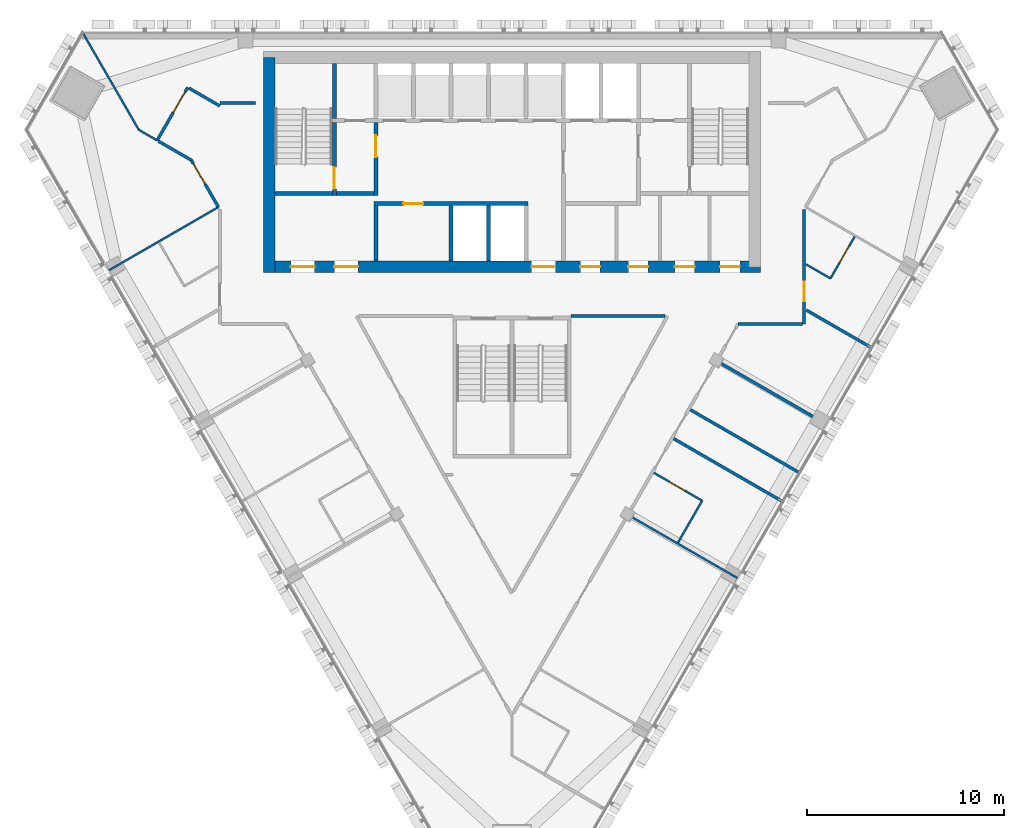
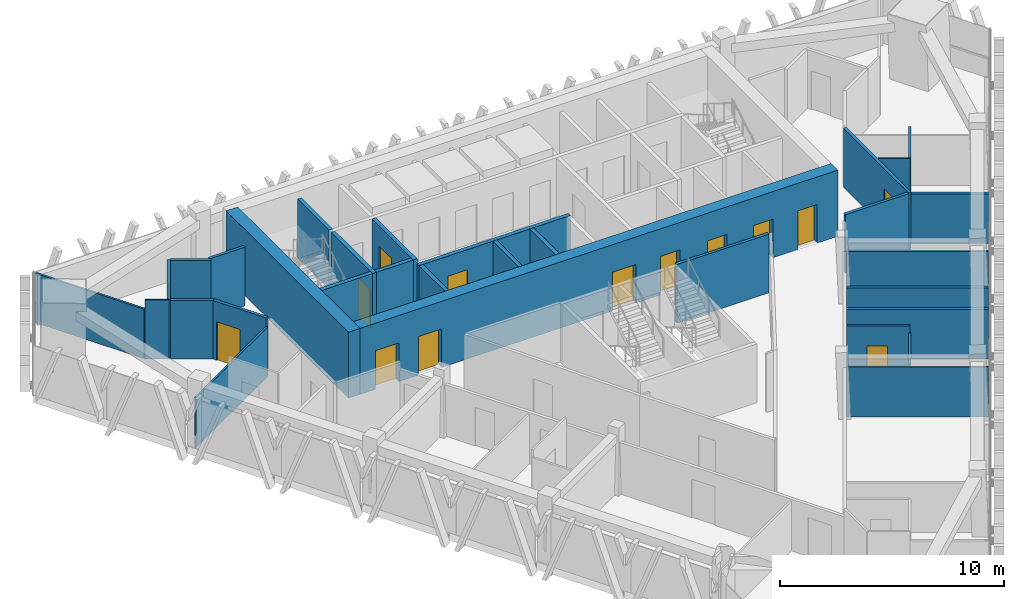
# One storey, part 9 of 14: 31 walls, 15 doors, 15 openings.
"""IFC4 building model written with IfcOpenShell, lengths in metres."""

from ifc_helpers import new_model, si_unit, direction, frame, frame_2d, origin, place, context, subcontext, project, spatial, rectangle, extrude, material, layer, layer_set, type_object, element, fill, save


model = new_model("IFC4")

# Units and contexts
model_context = context("Model", 3, precision=1e-05, world=origin(), true_north=direction((0.0, 1.0)))
body_context = subcontext(model_context, "Body", "Model", "MODEL_VIEW")
ifc_project = project(units=[si_unit("LENGTHUNIT", "METRE"), si_unit("AREAUNIT", "SQUARE_METRE"), si_unit("VOLUMEUNIT", "CUBIC_METRE"), si_unit("PLANEANGLEUNIT", "RADIAN"), si_unit("MASSUNIT", "GRAM", prefix="KILO")], contexts=[model_context])

# Site, building, storey
site_placement = place(None, origin())
site = spatial("IfcSite", under=ifc_project, at=site_placement, CompositionType="ELEMENT")
building_placement = place(site_placement, origin())
building = spatial("IfcBuilding", under=site, at=building_placement, Name="Altiplano Prism Tower", CompositionType="ELEMENT")
storey_placement = place(building_placement, frame((0.0, 0.0, 226.60009765625)))
storey = spatial("IfcBuildingStorey", under=building, at=storey_placement, Name="L58", CompositionType="ELEMENT", Elevation=226.60009765625)

# Wall, openings, doors
ifc_material_1 = material(Name="Concrete C60/75", Category="concrete")
ifc_layer_1 = layer(ifc_material_1, 0.60009765625)
ifc_layer_set_1 = layer_set([ifc_layer_1], Name="Concrete C60/75")
wall_type_1 = type_object("IfcWallType", Name="Core wall 600", PredefinedType="SHEAR", material=ifc_layer_set_1)
wall_1_placement = place(storey_placement, frame((72.699951171875, 93.10009765625, 0.0), z_axis=(0.0, 0.0, 1.0), x_axis=(1.0, 0.0, 0.0)))
wall_1 = element("IfcWall", 1, at=wall_1_placement, inside=storey, type_object=wall_type_1, Name="Core wall S L58", PredefinedType="SHEAR", context=body_context, shape_type="SweptSolid", body=[
    extrude(rectangle(XDim=24.900146484375, YDim=0.60009765625, at=frame_2d((12.4501953125, 0.0))), origin(), (0.0, 0.0, 1.0), 3.599853515625),
])
opening_1_placement = place(wall_1_placement, frame((1.10009765625, 0.0, 0.0)))
opening_1 = element("IfcOpeningElement", 2, at=opening_1_placement, cuts=wall_1, Name="Opening D3389", PredefinedType="OPENING", context=body_context, shape_type="SweptSolid", body=[
    extrude(rectangle(XDim=1.199951171875, YDim=2.10009765625, at=frame_2d((0.60009765625, 1.050048828125))), frame((0.0, 0.310546875, 0.0), z_axis=(0.0, -1.0, 0.0), x_axis=(1.0, 0.0, 0.0)), (0.0, 0.0, 1.0), 0.62109375),
])
opening_2_placement = place(wall_1_placement, frame((3.300048828125, 0.0, 0.0)))
opening_2 = element("IfcOpeningElement", 3, at=opening_2_placement, cuts=wall_1, Name="Opening D3390", PredefinedType="OPENING", context=body_context, shape_type="SweptSolid", body=[
    extrude(rectangle(XDim=1.199951171875, YDim=2.10009765625, at=frame_2d((0.60009765625, 1.050048828125))), frame((0.0, 0.310546875, 0.0), z_axis=(0.0, -1.0, 0.0), x_axis=(1.0, 0.0, 0.0)), (0.0, 0.0, 1.0), 0.62109375),
])
opening_3_placement = place(wall_1_placement, frame((13.300048828125, 0.0, 0.0)))
opening_3 = element("IfcOpeningElement", 4, at=opening_3_placement, cuts=wall_1, Name="Opening D3391", PredefinedType="OPENING", context=body_context, shape_type="SweptSolid", body=[
    extrude(rectangle(XDim=1.199951171875, YDim=2.10009765625, at=frame_2d((0.60009765625, 1.050048828125))), frame((0.0, 0.310546875, 0.0), z_axis=(0.0, -1.0, 0.0), x_axis=(1.0, 0.0, 0.0)), (0.0, 0.0, 1.0), 0.62109375),
])
opening_4_placement = place(wall_1_placement, frame((15.762451171875, 0.0, 0.0)))
opening_4 = element("IfcOpeningElement", 5, at=opening_4_placement, cuts=wall_1, Name="Opening D3394", PredefinedType="OPENING", context=body_context, shape_type="SweptSolid", body=[
    extrude(rectangle(XDim=1.0, YDim=2.10009765625, at=frame_2d((0.5, 1.050048828125))), frame((0.0, 0.310546875, 0.0), z_axis=(0.0, -1.0, 0.0), x_axis=(1.0, 0.0, 0.0)), (0.0, 0.0, 1.0), 0.62109375),
])
opening_5_placement = place(wall_1_placement, frame((18.199951171875, 0.0, 0.0)))
opening_5 = element("IfcOpeningElement", 6, at=opening_5_placement, cuts=wall_1, Name="Opening D3395", PredefinedType="OPENING", context=body_context, shape_type="SweptSolid", body=[
    extrude(rectangle(XDim=1.0, YDim=2.10009765625, at=frame_2d((0.5, 1.050048828125))), frame((0.0, 0.310546875, 0.0), z_axis=(0.0, -1.0, 0.0), x_axis=(1.0, 0.0, 0.0)), (0.0, 0.0, 1.0), 0.62109375),
])
opening_6_placement = place(wall_1_placement, frame((20.550048828125, 0.0, 0.0)))
opening_6 = element("IfcOpeningElement", 7, at=opening_6_placement, cuts=wall_1, Name="Opening D3396", PredefinedType="OPENING", context=body_context, shape_type="SweptSolid", body=[
    extrude(rectangle(XDim=1.0, YDim=2.10009765625, at=frame_2d((0.5, 1.050048828125))), frame((0.0, 0.310546875, 0.0), z_axis=(0.0, -1.0, 0.0), x_axis=(1.0, 0.0, 0.0)), (0.0, 0.0, 1.0), 0.62109375),
])
opening_7_placement = place(wall_1_placement, frame((22.83740234375, 0.0, 0.0)))
opening_7 = element("IfcOpeningElement", 8, at=opening_7_placement, cuts=wall_1, Name="Opening D3397", PredefinedType="OPENING", context=body_context, shape_type="SweptSolid", body=[
    extrude(rectangle(XDim=1.0, YDim=2.10009765625, at=frame_2d((0.5, 1.050048828125))), frame((0.0, 0.310546875, 0.0), z_axis=(0.0, -1.0, 0.0), x_axis=(1.0, 0.0, 0.0)), (0.0, 0.0, 1.0), 0.62109375),
])
ifc_material_2 = material(Name="Fire-rated steel door", Category="steel")
door_type_1 = type_object("IfcDoorType", Name="Core room door 1000 x 2100", OperationType="NOTDEFINED", PredefinedType="NOTDEFINED", material=ifc_material_2)
door_1_placement = place(opening_4_placement, origin())
door_1 = element("IfcDoor", 9, at=door_1_placement, inside=storey, type_object=door_type_1, Name="Core room door D3394", OperationType="SINGLE_SWING_RIGHT", OverallHeight=2.10009765625, OverallWidth=1.0, PredefinedType="NOTDEFINED", context=body_context, shape_type="SweptSolid", body=[
    extrude(rectangle(XDim=1.0, YDim=2.10009765625, at=frame_2d((0.5, 1.050048828125))), frame((0.0, 0.02490234375, 0.0), z_axis=(0.0, -1.0, 0.0), x_axis=(1.0, 0.0, 0.0)), (0.0, 0.0, 1.0), 0.050048828125),
])
fill(opening_4, door_1)
door_2_placement = place(opening_5_placement, origin())
door_2 = element("IfcDoor", 10, at=door_2_placement, inside=storey, type_object=door_type_1, Name="Core room door D3395", OperationType="SINGLE_SWING_LEFT", OverallHeight=2.10009765625, OverallWidth=1.0, PredefinedType="NOTDEFINED", context=body_context, shape_type="SweptSolid", body=[
    extrude(rectangle(XDim=1.0, YDim=2.10009765625, at=frame_2d((0.5, 1.050048828125))), frame((0.0, 0.02490234375, 0.0), z_axis=(0.0, -1.0, 0.0), x_axis=(1.0, 0.0, 0.0)), (0.0, 0.0, 1.0), 0.050048828125),
])
fill(opening_5, door_2)
door_3_placement = place(opening_6_placement, origin())
door_3 = element("IfcDoor", 11, at=door_3_placement, inside=storey, type_object=door_type_1, Name="Core room door D3396", OperationType="SINGLE_SWING_RIGHT", OverallHeight=2.10009765625, OverallWidth=1.0, PredefinedType="NOTDEFINED", context=body_context, shape_type="SweptSolid", body=[
    extrude(rectangle(XDim=1.0, YDim=2.10009765625, at=frame_2d((0.5, 1.050048828125))), frame((0.0, 0.02490234375, 0.0), z_axis=(0.0, -1.0, 0.0), x_axis=(1.0, 0.0, 0.0)), (0.0, 0.0, 1.0), 0.050048828125),
])
fill(opening_6, door_3)
door_4_placement = place(opening_7_placement, origin())
door_4 = element("IfcDoor", 12, at=door_4_placement, inside=storey, type_object=door_type_1, Name="Core room door D3397", OperationType="SINGLE_SWING_LEFT", OverallHeight=2.10009765625, OverallWidth=1.0, PredefinedType="NOTDEFINED", context=body_context, shape_type="SweptSolid", body=[
    extrude(rectangle(XDim=1.0, YDim=2.10009765625, at=frame_2d((0.5, 1.050048828125))), frame((0.0, 0.02490234375, 0.0), z_axis=(0.0, -1.0, 0.0), x_axis=(1.0, 0.0, 0.0)), (0.0, 0.0, 1.0), 0.050048828125),
])
fill(opening_7, door_4)
door_type_2 = type_object("IfcDoorType", Name="Lobby fire door 1200 x 2100", OperationType="NOTDEFINED", PredefinedType="NOTDEFINED", material=ifc_material_2)
door_5_placement = place(opening_1_placement, origin())
door_5 = element("IfcDoor", 13, at=door_5_placement, inside=storey, type_object=door_type_2, Name="Lobby fire door D3389", OperationType="SINGLE_SWING_RIGHT", OverallHeight=2.10009765625, OverallWidth=1.199951171875, PredefinedType="NOTDEFINED", context=body_context, shape_type="SweptSolid", body=[
    extrude(rectangle(XDim=1.199951171875, YDim=2.10009765625, at=frame_2d((0.60009765625, 1.050048828125))), frame((0.0, 0.02490234375, 0.0), z_axis=(0.0, -1.0, 0.0), x_axis=(1.0, 0.0, 0.0)), (0.0, 0.0, 1.0), 0.050048828125),
])
fill(opening_1, door_5)
door_6_placement = place(opening_2_placement, origin())
door_6 = element("IfcDoor", 14, at=door_6_placement, inside=storey, type_object=door_type_2, Name="Lobby fire door D3390", OperationType="SINGLE_SWING_LEFT", OverallHeight=2.10009765625, OverallWidth=1.199951171875, PredefinedType="NOTDEFINED", context=body_context, shape_type="SweptSolid", body=[
    extrude(rectangle(XDim=1.199951171875, YDim=2.10009765625, at=frame_2d((0.60009765625, 1.050048828125))), frame((0.0, 0.02490234375, 0.0), z_axis=(0.0, -1.0, 0.0), x_axis=(1.0, 0.0, 0.0)), (0.0, 0.0, 1.0), 0.050048828125),
])
fill(opening_2, door_6)
door_7_placement = place(opening_3_placement, origin())
door_7 = element("IfcDoor", 15, at=door_7_placement, inside=storey, type_object=door_type_2, Name="Lobby fire door D3391", OperationType="SINGLE_SWING_RIGHT", OverallHeight=2.10009765625, OverallWidth=1.199951171875, PredefinedType="NOTDEFINED", context=body_context, shape_type="SweptSolid", body=[
    extrude(rectangle(XDim=1.199951171875, YDim=2.10009765625, at=frame_2d((0.60009765625, 1.050048828125))), frame((0.0, 0.02490234375, 0.0), z_axis=(0.0, -1.0, 0.0), x_axis=(1.0, 0.0, 0.0)), (0.0, 0.0, 1.0), 0.050048828125),
])
fill(opening_3, door_7)

# Wall
wall_2_placement = place(storey_placement, frame((72.699951171875, 103.699951171875, 0.0), z_axis=(0.0, 0.0, 1.0), x_axis=(0.0, -1.0, 0.0)))
element("IfcWall", 16, at=wall_2_placement, inside=storey, type_object=wall_type_1, Name="Core wall W L58", PredefinedType="SHEAR", context=body_context, shape_type="SweptSolid", body=[
    extrude(rectangle(XDim=10.89990234375, YDim=0.60009765625, at=frame_2d((5.449951171875, 0.0))), origin(), (0.0, 0.0, 1.0), 3.599853515625),
])

# Wall, opening, door
ifc_material_3 = material(Name="Plasterboard on steel stud", Category="steel")
ifc_layer_2 = layer(ifc_material_3, 0.10009765625)
ifc_layer_set_2 = layer_set([ifc_layer_2], Name="Plasterboard on steel stud")
wall_type_2 = type_object("IfcWallType", Name="Partition 100 unit", PredefinedType="PARTITIONING", material=ifc_layer_set_2)
wall_3_placement = place(storey_placement, frame((92.187255859375, 82.662109375, 0.0), z_axis=(0.0, 0.0, 1.0), x_axis=(0.866011447264, -0.500024172624, 0.0)))
wall_3 = element("IfcWall", 17, at=wall_3_placement, inside=storey, type_object=wall_type_2, Name="Partition P02 L58 044", PredefinedType="PARTITIONING", context=body_context, shape_type="SweptSolid", body=[
    extrude(rectangle(XDim=2.824951171875, YDim=0.10009765625, at=frame_2d((1.41259765625, 0.0))), origin(), (0.0, 0.0, 1.0), 3.199951171875),
])
opening_8_placement = place(wall_3_placement, frame((0.925048828125, 0.0, 0.0)))
opening_8 = element("IfcOpeningElement", 18, at=opening_8_placement, cuts=wall_3, Name="Opening D1939", PredefinedType="OPENING", context=body_context, shape_type="SweptSolid", body=[
    extrude(rectangle(XDim=0.89990234375, YDim=2.10009765625, at=frame_2d((0.449951171875, 1.050048828125))), frame((0.0, 0.060546875, 0.0), z_axis=(0.0, -1.0, 0.0), x_axis=(1.0, 0.0, 0.0)), (0.0, 0.0, 1.0), 0.12109375),
])
ifc_material_4 = material(Name="Timber", Category="wood")
door_type_3 = type_object("IfcDoorType", Name="Ensuite door 900 x 2100", OperationType="NOTDEFINED", PredefinedType="NOTDEFINED", material=ifc_material_4)
door_8_placement = place(opening_8_placement, origin())
door_8 = element("IfcDoor", 19, at=door_8_placement, inside=storey, type_object=door_type_3, Name="Door D1939", OperationType="SINGLE_SWING_LEFT", OverallHeight=2.10009765625, OverallWidth=0.89990234375, PredefinedType="NOTDEFINED", context=body_context, shape_type="SweptSolid", body=[
    extrude(rectangle(XDim=0.89990234375, YDim=2.10009765625, at=frame_2d((0.449951171875, 1.050048828125))), frame((0.0, 0.02490234375, 0.0), z_axis=(0.0, -1.0, 0.0), x_axis=(1.0, 0.0, 0.0)), (0.0, 0.0, 1.0), 0.050048828125),
])
fill(opening_8, door_8)

# Wall
wall_4_placement = place(storey_placement, frame((94.6337890625, 81.24951171875, 0.0), z_axis=(0.0, 0.0, 1.0), x_axis=(-0.499943856944, -0.866057815567, 0.0)))
element("IfcWall", 20, at=wall_4_placement, inside=storey, type_object=wall_type_2, Name="Partition P02 L58 045", PredefinedType="PARTITIONING", context=body_context, shape_type="SweptSolid", body=[
    extrude(rectangle(XDim=2.449951171875, YDim=0.10009765625, at=frame_2d((1.22509765625, 0.0))), origin(), (0.0, 0.0, 1.0), 2.7998046875),
])

# Wall, opening, door
wall_5_placement = place(storey_placement, frame((102.35888671875, 94.629638671875, 0.0), z_axis=(0.0, 0.0, 1.0), x_axis=(-0.500018594424, -0.866014668023, 0.0)))
wall_5 = element("IfcWall", 21, at=wall_5_placement, inside=storey, type_object=wall_type_2, Name="Partition P02 L58 050", PredefinedType="PARTITIONING", context=body_context, shape_type="SweptSolid", body=[
    extrude(rectangle(XDim=2.4501953125, YDim=0.10009765625, at=frame_2d((1.22509765625, 0.0))), origin(), (0.0, 0.0, 1.0), 3.199951171875),
])
opening_9_placement = place(wall_5_placement, frame((0.617919921875, 0.0, 0.0)))
opening_9 = element("IfcOpeningElement", 22, at=opening_9_placement, cuts=wall_5, Name="Opening D1944", PredefinedType="OPENING", context=body_context, shape_type="SweptSolid", body=[
    extrude(rectangle(XDim=0.89990234375, YDim=2.10009765625, at=frame_2d((0.449951171875, 1.050048828125))), frame((0.0, 0.060546875, 0.0), z_axis=(0.0, -1.0, 0.0), x_axis=(1.0, 0.0, 0.0)), (0.0, 0.0, 1.0), 0.12109375),
])
door_9_placement = place(opening_9_placement, origin())
door_9 = element("IfcDoor", 23, at=door_9_placement, inside=storey, type_object=door_type_3, Name="Door D1944", OperationType="SINGLE_SWING_RIGHT", OverallHeight=2.10009765625, OverallWidth=0.89990234375, PredefinedType="NOTDEFINED", context=body_context, shape_type="SweptSolid", body=[
    extrude(rectangle(XDim=0.89990234375, YDim=2.10009765625, at=frame_2d((0.449951171875, 1.050048828125))), frame((0.0, 0.02490234375, 0.0), z_axis=(0.0, -1.0, 0.0), x_axis=(1.0, 0.0, 0.0)), (0.0, 0.0, 1.0), 0.050048828125),
])
fill(opening_9, door_9)

# Walls
wall_6_placement = place(storey_placement, frame((101.1337890625, 92.5078125, 0.0), z_axis=(0.0, 0.0, 1.0), x_axis=(-0.866020080793, 0.500009219579, 0.0)))
element("IfcWall", 24, at=wall_6_placement, inside=storey, type_object=wall_type_2, Name="Partition P02 L58 051", PredefinedType="PARTITIONING", context=body_context, shape_type="SweptSolid", body=[
    extrude(rectangle(XDim=1.4248046875, YDim=0.10009765625, at=frame_2d((0.71240234375, 0.0))), origin(), (0.0, 0.0, 1.0), 3.199951171875),
])
ifc_layer_3 = layer(ifc_material_3, 0.10009765625)
ifc_layer_set_3 = layer_set([ifc_layer_3], Name="Plasterboard on steel stud")
wall_type_3 = type_object("IfcWallType", Name="Partition 100 wet", PredefinedType="PARTITIONING", material=ifc_layer_set_3)
wall_7_placement = place(storey_placement, frame((64.5849609375, 92.9228515625, 0.0), z_axis=(0.0, 0.0, 1.0), x_axis=(0.866018518567, 0.500011925357, 0.0)))
element("IfcWall", 25, at=wall_7_placement, inside=storey, type_object=wall_type_3, Name="Partition P03 L58 025", PredefinedType="PARTITIONING", context=body_context, shape_type="SweptSolid", body=[
    extrude(rectangle(XDim=6.400146484375, YDim=0.10009765625, at=frame_2d((3.2001953125, 0.0))), origin(), (0.0, 0.0, 1.0), 2.699951171875),
])
wall_8_placement = place(storey_placement, frame((67.023193359375, 99.5, 0.0), z_axis=(0.0, 0.0, 1.0), x_axis=(-0.866018596809, 0.500011789842, 0.0)))
element("IfcWall", 26, at=wall_8_placement, inside=storey, type_object=wall_type_3, Name="Partition P03 L58 026", PredefinedType="PARTITIONING", context=body_context, shape_type="SweptSolid", body=[
    extrude(rectangle(XDim=1.0712890625, YDim=0.10009765625, at=frame_2d((0.53564453125, 0.0))), origin(), (0.0, 0.0, 1.0), 3.199951171875),
])
wall_9_placement = place(storey_placement, frame((66.095458984375, 100.03564453125, 0.0), z_axis=(0.0, 0.0, 1.0), x_axis=(-0.49999586752, 0.86602778966, 0.0)))
element("IfcWall", 27, at=wall_9_placement, inside=storey, type_object=wall_type_3, Name="Partition P03 L58 027", PredefinedType="PARTITIONING", context=body_context, shape_type="SweptSolid", body=[
    extrude(rectangle(XDim=5.61669921875, YDim=0.10009765625, at=frame_2d((2.808349609375, 0.0))), origin(), (0.0, 0.0, 1.0), 2.699951171875),
])
wall_10_placement = place(storey_placement, frame((96.4150390625, 77.33447265625, 0.0), z_axis=(0.0, 0.0, 1.0), x_axis=(-0.866025537322, 0.499999768706, 0.0)))
element("IfcWall", 28, at=wall_10_placement, inside=storey, type_object=wall_type_3, Name="Partition P03 L58 043", PredefinedType="PARTITIONING", context=body_context, shape_type="SweptSolid", body=[
    extrude(rectangle(XDim=6.3251953125, YDim=0.10009765625, at=frame_2d((3.16259765625, 0.0))), origin(), (0.0, 0.0, 1.0), 2.699951171875),
])
ifc_layer_4 = layer(ifc_material_3, 0.14990234375)
ifc_layer_set_4 = layer_set([ifc_layer_4], Name="Plasterboard on steel stud")
wall_type_4 = type_object("IfcWallType", Name="Partition 150 corridor", PredefinedType="PARTITIONING", material=ifc_layer_set_4)
wall_11_placement = place(storey_placement, frame((88.0, 90.60009765625, 0.0), z_axis=(0.0, 0.0, 1.0), x_axis=(1.0, 0.0, 0.0)))
element("IfcWall", 29, at=wall_11_placement, inside=storey, type_object=wall_type_4, Name="Partition P06 L58 003", PredefinedType="PARTITIONING", context=body_context, shape_type="SweptSolid", body=[
    extrude(rectangle(XDim=4.74658203125, YDim=0.14990234375, at=frame_2d((2.373291015625, 0.0))), origin(), (0.0, 0.0, 1.0), 3.199951171875),
])
wall_12_placement = place(storey_placement, frame((67.088134765625, 99.46240234375, 0.0), z_axis=(0.0, 0.0, 1.0), x_axis=(0.866033512162, -0.499985955615, 0.0)))
element("IfcWall", 30, at=wall_12_placement, inside=storey, type_object=wall_type_4, Name="Partition P06 L58 007", PredefinedType="PARTITIONING", context=body_context, shape_type="SweptSolid", body=[
    extrude(rectangle(XDim=1.9248046875, YDim=0.14990234375, at=frame_2d((0.96240234375, 0.0))), origin(), (0.0, 0.0, 1.0), 3.199951171875),
])

# Wall, opening, door
wall_13_placement = place(storey_placement, frame((68.755126953125, 98.5, 0.0), z_axis=(0.0, 0.0, 1.0), x_axis=(0.500061224174, -0.865990053105, 0.0)))
wall_13 = element("IfcWall", 31, at=wall_13_placement, inside=storey, type_object=wall_type_4, Name="Partition P06 L58 008", PredefinedType="PARTITIONING", context=body_context, shape_type="SweptSolid", body=[
    extrude(rectangle(XDim=2.744873046875, YDim=0.14990234375, at=frame_2d((1.37255859375, 0.0))), origin(), (0.0, 0.0, 1.0), 3.199951171875),
])
opening_10_placement = place(wall_13_placement, frame((0.199951171875, 0.0, 0.0)))
opening_10 = element("IfcOpeningElement", 32, at=opening_10_placement, cuts=wall_13, Name="Opening D1926", PredefinedType="OPENING", context=body_context, shape_type="SweptSolid", body=[
    extrude(rectangle(XDim=1.199951171875, YDim=2.10009765625, at=frame_2d((0.60009765625, 1.050048828125))), frame((0.0, 0.08544921875, 0.0), z_axis=(0.0, -1.0, 0.0), x_axis=(1.0, 0.0, 0.0)), (0.0, 0.0, 1.0), 0.1708984375),
])
door_type_4 = type_object("IfcDoorType", Name="Shared room door 1200 x 2100", OperationType="NOTDEFINED", PredefinedType="NOTDEFINED", material=ifc_material_4)
door_10_placement = place(opening_10_placement, origin())
door_10 = element("IfcDoor", 33, at=door_10_placement, inside=storey, type_object=door_type_4, Name="Door D1926", OperationType="SINGLE_SWING_RIGHT", OverallHeight=2.10009765625, OverallWidth=1.199951171875, PredefinedType="NOTDEFINED", context=body_context, shape_type="SweptSolid", body=[
    extrude(rectangle(XDim=1.199951171875, YDim=2.10009765625, at=frame_2d((0.60009765625, 1.050048828125))), frame((0.0, 0.02490234375, 0.0), z_axis=(0.0, -1.0, 0.0), x_axis=(1.0, 0.0, 0.0)), (0.0, 0.0, 1.0), 0.050048828125),
])
fill(opening_10, door_10)

# Wall
wall_14_placement = place(storey_placement, frame((96.452880859375, 90.199951171875, 0.0), z_axis=(0.0, 0.0, 1.0), x_axis=(1.0, 0.0, 0.0)))
element("IfcWall", 34, at=wall_14_placement, inside=storey, type_object=wall_type_4, Name="Partition P06 L58 013", PredefinedType="PARTITIONING", context=body_context, shape_type="SweptSolid", body=[
    extrude(rectangle(XDim=3.272216796875, YDim=0.14990234375, at=frame_2d((1.63623046875, 0.0))), origin(), (0.0, 0.0, 1.0), 3.199951171875),
])

# Wall, opening, door
wall_15_placement = place(storey_placement, frame((99.800048828125, 90.199951171875, 0.0), z_axis=(0.0, 0.0, 1.0), x_axis=(0.0, 1.0, 0.0)))
wall_15 = element("IfcWall", 35, at=wall_15_placement, inside=storey, type_object=wall_type_4, Name="Partition P06 L58 014", PredefinedType="PARTITIONING", context=body_context, shape_type="SweptSolid", body=[
    extrude(rectangle(XDim=5.797607421875, YDim=0.14990234375, at=frame_2d((2.89892578125, 0.0))), origin(), (0.0, 0.0, 1.0), 3.199951171875),
])
opening_11_placement = place(wall_15_placement, frame((1.152099609375, 0.0, 0.0)))
opening_11 = element("IfcOpeningElement", 36, at=opening_11_placement, cuts=wall_15, Name="Opening D1943", PredefinedType="OPENING", context=body_context, shape_type="SweptSolid", body=[
    extrude(rectangle(XDim=1.0, YDim=2.10009765625, at=frame_2d((0.5, 1.050048828125))), frame((0.0, 0.08544921875, 0.0), z_axis=(0.0, -1.0, 0.0), x_axis=(1.0, 0.0, 0.0)), (0.0, 0.0, 1.0), 0.1708984375),
])
door_type_5 = type_object("IfcDoorType", Name="Bedroom entrance door 1000 x 2100", OperationType="NOTDEFINED", PredefinedType="NOTDEFINED", material=ifc_material_4)
door_11_placement = place(opening_11_placement, origin())
door_11 = element("IfcDoor", 37, at=door_11_placement, inside=storey, type_object=door_type_5, Name="Door D1943", OperationType="SINGLE_SWING_LEFT", OverallHeight=2.10009765625, OverallWidth=1.0, PredefinedType="NOTDEFINED", context=body_context, shape_type="SweptSolid", body=[
    extrude(rectangle(XDim=1.0, YDim=2.10009765625, at=frame_2d((0.5, 1.050048828125))), frame((0.0, 0.02490234375, 0.0), z_axis=(0.0, -1.0, 0.0), x_axis=(1.0, 0.0, 0.0)), (0.0, 0.0, 1.0), 0.050048828125),
])
fill(opening_11, door_11)

# Walls
wall_16_placement = place(storey_placement, frame((72.0, 101.39990234375, 0.0), z_axis=(0.0, 0.0, 1.0), x_axis=(-1.0, 0.0, 0.0)))
element("IfcWall", 38, at=wall_16_placement, inside=storey, type_object=wall_type_4, Name="Partition P06 L58 017", PredefinedType="PARTITIONING", context=body_context, shape_type="SweptSolid", body=[
    extrude(rectangle(XDim=1.800048828125, YDim=0.14990234375, at=frame_2d((0.89990234375, 0.0))), origin(), (0.0, 0.0, 1.0), 3.199951171875),
])
wall_17_placement = place(storey_placement, frame((70.199951171875, 101.245361328125, 0.0), z_axis=(0.0, 0.0, 1.0), x_axis=(-0.865984934964, 0.500070087503, 0.0)))
element("IfcWall", 39, at=wall_17_placement, inside=storey, type_object=wall_type_4, Name="Partition P06 L58 018", PredefinedType="PARTITIONING", context=body_context, shape_type="SweptSolid", body=[
    extrude(rectangle(XDim=1.803466796875, YDim=0.14990234375, at=frame_2d((0.90185546875, 0.0))), origin(), (0.0, 0.0, 1.0), 3.199951171875),
])

# Wall, opening, door
wall_18_placement = place(storey_placement, frame((68.5732421875, 102.1845703125, 0.0), z_axis=(0.0, 0.0, 1.0), x_axis=(-0.500026960575, -0.86600983753, 0.0)))
wall_18 = element("IfcWall", 40, at=wall_18_placement, inside=storey, type_object=wall_type_4, Name="Partition P06 L58 019", PredefinedType="PARTITIONING", context=body_context, shape_type="SweptSolid", body=[
    extrude(rectangle(XDim=3.099853515625, YDim=0.14990234375, at=frame_2d((1.5498046875, 0.0))), origin(), (0.0, 0.0, 1.0), 3.199951171875),
])
opening_12_placement = place(wall_18_placement, frame((0.258056640625, 0.0, 0.0)))
opening_12 = element("IfcOpeningElement", 41, at=opening_12_placement, cuts=wall_18, Name="Opening D1946", PredefinedType="OPENING", context=body_context, shape_type="SweptSolid", body=[
    extrude(rectangle(XDim=1.199951171875, YDim=2.10009765625, at=frame_2d((0.60009765625, 1.050048828125))), frame((0.0, 0.08544921875, 0.0), z_axis=(0.0, -1.0, 0.0), x_axis=(1.0, 0.0, 0.0)), (0.0, 0.0, 1.0), 0.1708984375),
])
door_12_placement = place(opening_12_placement, origin())
door_12 = element("IfcDoor", 42, at=door_12_placement, inside=storey, type_object=door_type_4, Name="Door D1946", OperationType="SINGLE_SWING_RIGHT", OverallHeight=2.10009765625, OverallWidth=1.199951171875, PredefinedType="NOTDEFINED", context=body_context, shape_type="SweptSolid", body=[
    extrude(rectangle(XDim=1.199951171875, YDim=2.10009765625, at=frame_2d((0.60009765625, 1.050048828125))), frame((0.0, 0.02490234375, 0.0), z_axis=(0.0, -1.0, 0.0), x_axis=(1.0, 0.0, 0.0)), (0.0, 0.0, 1.0), 0.050048828125),
])
fill(opening_12, door_12)

# Walls
ifc_layer_5 = layer(ifc_material_3, 0.14990234375)
ifc_layer_set_5 = layer_set([ifc_layer_5], Name="Plasterboard on steel stud")
wall_type_5 = type_object("IfcWallType", Name="Partition 150 party", PredefinedType="PARTITIONING", material=ifc_layer_set_5)
wall_19_placement = place(storey_placement, frame((98.682373046875, 81.221435546875, 0.0), z_axis=(0.0, 0.0, 1.0), x_axis=(-0.866025401434, 0.500000004071, 0.0)))
element("IfcWall", 43, at=wall_19_placement, inside=storey, type_object=wall_type_5, Name="Partition P01 L58 046", PredefinedType="PARTITIONING", context=body_context, shape_type="SweptSolid", body=[
    extrude(rectangle(XDim=6.34521484375, YDim=0.14990234375, at=frame_2d((3.172607421875, 0.0))), origin(), (0.0, 0.0, 1.0), 2.699951171875),
])
wall_20_placement = place(storey_placement, frame((99.52734375, 82.685546875, 0.0), z_axis=(0.0, 0.0, 1.0), x_axis=(-0.866032443377, 0.499987806871, 0.0)))
element("IfcWall", 44, at=wall_20_placement, inside=storey, type_object=wall_type_5, Name="Partition P01 L58 047", PredefinedType="PARTITIONING", context=body_context, shape_type="SweptSolid", body=[
    extrude(rectangle(XDim=6.344970703125, YDim=0.14990234375, at=frame_2d((3.17236328125, 0.0))), origin(), (0.0, 0.0, 1.0), 2.699951171875),
])
wall_21_placement = place(storey_placement, frame((100.9150390625, 85.128662109375, 0.0), z_axis=(0.0, 0.0, 1.0), x_axis=(-0.866025537322, 0.499999768706, 0.0)))
element("IfcWall", 45, at=wall_21_placement, inside=storey, type_object=wall_type_5, Name="Partition P01 L58 048", PredefinedType="PARTITIONING", context=body_context, shape_type="SweptSolid", body=[
    extrude(rectangle(XDim=6.3251953125, YDim=0.14990234375, at=frame_2d((3.16259765625, 0.0))), origin(), (0.0, 0.0, 1.0), 2.699951171875),
])
wall_22_placement = place(storey_placement, frame((103.182373046875, 89.015625, 0.0), z_axis=(0.0, 0.0, 1.0), x_axis=(-0.866010064159, 0.500026568069, 0.0)))
element("IfcWall", 46, at=wall_22_placement, inside=storey, type_object=wall_type_5, Name="Partition P01 L58 049", PredefinedType="PARTITIONING", context=body_context, shape_type="SweptSolid", body=[
    extrude(rectangle(XDim=3.775634765625, YDim=0.14990234375, at=frame_2d((1.8876953125, 0.0))), origin(), (0.0, 0.0, 1.0), 2.699951171875),
])
ifc_layer_6 = layer(ifc_material_1, 0.199951171875)
ifc_layer_set_6 = layer_set([ifc_layer_6], Name="Concrete C60/75")
wall_type_6 = type_object("IfcWallType", Name="Shaft wall 200", PredefinedType="SOLIDWALL", material=ifc_layer_set_6)
for number, where, z_axis, x_axis, name in (
    (47, (81.89990234375, 93.39990234375, 0.0), (0.0, 0.0, 1.0), (0.0, 1.0, 0.0), "Shaft wall L58"),
    (48, (83.800048828125, 93.39990234375, 0.0), (0.0, 0.0, 1.0), (0.0, 1.0, 0.0), "Shaft wall L58"),
):
    element("IfcWall", number, at=place(storey_placement, frame(where, z_axis=z_axis, x_axis=x_axis)), inside=storey, type_object=wall_type_6, Name=name, PredefinedType="SOLIDWALL", context=body_context, shape_type="SweptSolid", body=[
        extrude(rectangle(XDim=2.800048828125, YDim=0.199951171875, at=frame_2d((1.39990234375, 0.0))), origin(), (0.0, 0.0, 1.0), 3.199951171875),
    ])

# Wall, opening, door
wall_23_placement = place(storey_placement, frame((78.0, 96.300048828125, 0.0), z_axis=(0.0, 0.0, 1.0), x_axis=(1.0, 0.0, 0.0)))
wall_23 = element("IfcWall", 49, at=wall_23_placement, inside=storey, type_object=wall_type_6, Name="Shaft wall L58", PredefinedType="SOLIDWALL", context=body_context, shape_type="SweptSolid", body=[
    extrude(rectangle(XDim=7.800048828125, YDim=0.199951171875, at=frame_2d((3.89990234375, 0.0))), origin(), (0.0, 0.0, 1.0), 3.199951171875),
])
opening_13_placement = place(wall_23_placement, frame((1.5, 0.0, 0.0)))
opening_13 = element("IfcOpeningElement", 50, at=opening_13_placement, cuts=wall_23, Name="Opening D3398", PredefinedType="OPENING", context=body_context, shape_type="SweptSolid", body=[
    extrude(rectangle(XDim=1.0, YDim=2.10009765625, at=frame_2d((0.5, 1.050048828125))), frame((0.0, 0.1103515625, 0.0), z_axis=(0.0, -1.0, 0.0), x_axis=(1.0, 0.0, 0.0)), (0.0, 0.0, 1.0), 0.220947265625),
])
door_13_placement = place(opening_13_placement, origin())
door_13 = element("IfcDoor", 51, at=door_13_placement, inside=storey, type_object=door_type_1, Name="Core room door D3398", OperationType="SINGLE_SWING_RIGHT", OverallHeight=2.10009765625, OverallWidth=1.0, PredefinedType="NOTDEFINED", context=body_context, shape_type="SweptSolid", body=[
    extrude(rectangle(XDim=1.0, YDim=2.10009765625, at=frame_2d((0.5, 1.050048828125))), frame((0.0, 0.02490234375, 0.0), z_axis=(0.0, -1.0, 0.0), x_axis=(1.0, 0.0, 0.0)), (0.0, 0.0, 1.0), 0.050048828125),
])
fill(opening_13, door_13)

# Wall
ifc_layer_7 = layer(ifc_material_1, 0.199951171875)
ifc_layer_set_7 = layer_set([ifc_layer_7], Name="Concrete C60/75")
wall_type_7 = type_object("IfcWallType", Name="Stair wall 200", PredefinedType="SOLIDWALL", material=ifc_layer_set_7)
wall_24_placement = place(storey_placement, frame((73.0, 96.800048828125, 0.0), z_axis=(0.0, 0.0, 1.0), x_axis=(1.0, 0.0, 0.0)))
element("IfcWall", 52, at=wall_24_placement, inside=storey, type_object=wall_type_7, Name="Stair wall L58", PredefinedType="SOLIDWALL", context=body_context, shape_type="SweptSolid", body=[
    extrude(rectangle(XDim=2.89990234375, YDim=0.199951171875, at=frame_2d((1.449951171875, 0.0))), origin(), (0.0, 0.0, 1.0), 3.199951171875),
])

# Wall, opening, door
wall_25_placement = place(storey_placement, frame((76.0, 96.699951171875, 0.0), z_axis=(0.0, 0.0, 1.0), x_axis=(0.0, 1.0, 0.0)))
wall_25 = element("IfcWall", 53, at=wall_25_placement, inside=storey, type_object=wall_type_7, Name="Stair wall L58", PredefinedType="SOLIDWALL", context=body_context, shape_type="SweptSolid", body=[
    extrude(rectangle(XDim=3.699951171875, YDim=0.199951171875, at=frame_2d((1.85009765625, 0.0))), origin(), (0.0, 0.0, 1.0), 3.199951171875),
])
opening_14_placement = place(wall_25_placement, frame((0.35009765625, 0.0, 0.0)))
opening_14 = element("IfcOpeningElement", 54, at=opening_14_placement, cuts=wall_25, Name="Opening D3384", PredefinedType="OPENING", context=body_context, shape_type="SweptSolid", body=[
    extrude(rectangle(XDim=1.10009765625, YDim=2.10009765625, at=frame_2d((0.550048828125, 1.050048828125))), frame((0.0, 0.1103515625, 0.0), z_axis=(0.0, -1.0, 0.0), x_axis=(1.0, 0.0, 0.0)), (0.0, 0.0, 1.0), 0.220947265625),
])
door_type_6 = type_object("IfcDoorType", Name="Stair fire door 1100 x 2100", OperationType="NOTDEFINED", PredefinedType="NOTDEFINED", material=ifc_material_2)
door_14_placement = place(opening_14_placement, origin())
door_14 = element("IfcDoor", 55, at=door_14_placement, inside=storey, type_object=door_type_6, Name="Stair fire door D3384", OperationType="SINGLE_SWING_RIGHT", OverallHeight=2.10009765625, OverallWidth=1.10009765625, PredefinedType="NOTDEFINED", context=body_context, shape_type="SweptSolid", body=[
    extrude(rectangle(XDim=1.10009765625, YDim=2.10009765625, at=frame_2d((0.550048828125, 1.050048828125))), frame((0.0, 0.02490234375, 0.0), z_axis=(0.0, -1.0, 0.0), x_axis=(1.0, 0.0, 0.0)), (0.0, 0.0, 1.0), 0.050048828125),
])
fill(opening_14, door_14)

# Walls
wall_26_placement = place(storey_placement, frame((76.0, 100.60009765625, 0.0), z_axis=(0.0, 0.0, 1.0), x_axis=(0.0, 1.0, 0.0)))
element("IfcWall", 56, at=wall_26_placement, inside=storey, type_object=wall_type_7, Name="Stair wall L58", PredefinedType="SOLIDWALL", context=body_context, shape_type="SweptSolid", body=[
    extrude(rectangle(XDim=2.7998046875, YDim=0.199951171875, at=frame_2d((1.39990234375, 0.0))), origin(), (0.0, 0.0, 1.0), 3.199951171875),
])
ifc_layer_8 = layer(ifc_material_1, 0.199951171875)
ifc_layer_set_8 = layer_set([ifc_layer_8], Name="Concrete C60/75")
wall_type_8 = type_object("IfcWallType", Name="Vestibule wall 200", PredefinedType="PARTITIONING", material=ifc_layer_set_8)
wall_27_placement = place(storey_placement, frame((78.10009765625, 93.39990234375, 0.0), z_axis=(0.0, 0.0, 1.0), x_axis=(0.0, 1.0, 0.0)))
element("IfcWall", 57, at=wall_27_placement, inside=storey, type_object=wall_type_8, Name="Vestibule wall L58", PredefinedType="PARTITIONING", context=body_context, shape_type="SweptSolid", body=[
    extrude(rectangle(XDim=2.800048828125, YDim=0.199951171875, at=frame_2d((1.39990234375, 0.0))), origin(), (0.0, 0.0, 1.0), 3.199951171875),
])
wall_28_placement = place(storey_placement, frame((76.10009765625, 96.800048828125, 0.0), z_axis=(0.0, 0.0, 1.0), x_axis=(1.0, 0.0, 0.0)))
element("IfcWall", 58, at=wall_28_placement, inside=storey, type_object=wall_type_8, Name="Vestibule wall L58", PredefinedType="PARTITIONING", context=body_context, shape_type="SweptSolid", body=[
    extrude(rectangle(XDim=1.89990234375, YDim=0.199951171875, at=frame_2d((0.949951171875, 0.0))), origin(), (0.0, 0.0, 1.0), 3.199951171875),
])

# Wall, opening, door
wall_29_placement = place(storey_placement, frame((78.10009765625, 96.699951171875, 0.0), z_axis=(0.0, 0.0, 1.0), x_axis=(0.0, 1.0, 0.0)))
wall_29 = element("IfcWall", 59, at=wall_29_placement, inside=storey, type_object=wall_type_8, Name="Vestibule wall L58", PredefinedType="PARTITIONING", context=body_context, shape_type="SweptSolid", body=[
    extrude(rectangle(XDim=3.699951171875, YDim=0.199951171875, at=frame_2d((1.85009765625, 0.0))), origin(), (0.0, 0.0, 1.0), 3.199951171875),
])
opening_15_placement = place(wall_29_placement, frame((1.949951171875, 0.0, 0.0)))
opening_15 = element("IfcOpeningElement", 60, at=opening_15_placement, cuts=wall_29, Name="Opening D3386", PredefinedType="OPENING", context=body_context, shape_type="SweptSolid", body=[
    extrude(rectangle(XDim=1.10009765625, YDim=2.10009765625, at=frame_2d((0.550048828125, 1.050048828125))), frame((0.0, 0.1103515625, 0.0), z_axis=(0.0, -1.0, 0.0), x_axis=(1.0, 0.0, 0.0)), (0.0, 0.0, 1.0), 0.220947265625),
])
door_type_7 = type_object("IfcDoorType", Name="Vestibule fire door 1100 x 2100", OperationType="NOTDEFINED", PredefinedType="NOTDEFINED", material=ifc_material_2)
door_15_placement = place(opening_15_placement, origin())
door_15 = element("IfcDoor", 61, at=door_15_placement, inside=storey, type_object=door_type_7, Name="Vestibule fire door D3386", OperationType="SINGLE_SWING_LEFT", OverallHeight=2.10009765625, OverallWidth=1.10009765625, PredefinedType="NOTDEFINED", context=body_context, shape_type="SweptSolid", body=[
    extrude(rectangle(XDim=1.10009765625, YDim=2.10009765625, at=frame_2d((0.550048828125, 1.050048828125))), frame((0.0, 0.02490234375, 0.0), z_axis=(0.0, -1.0, 0.0), x_axis=(1.0, 0.0, 0.0)), (0.0, 0.0, 1.0), 0.050048828125),
])
fill(opening_15, door_15)

save(model, "model.ifc")
